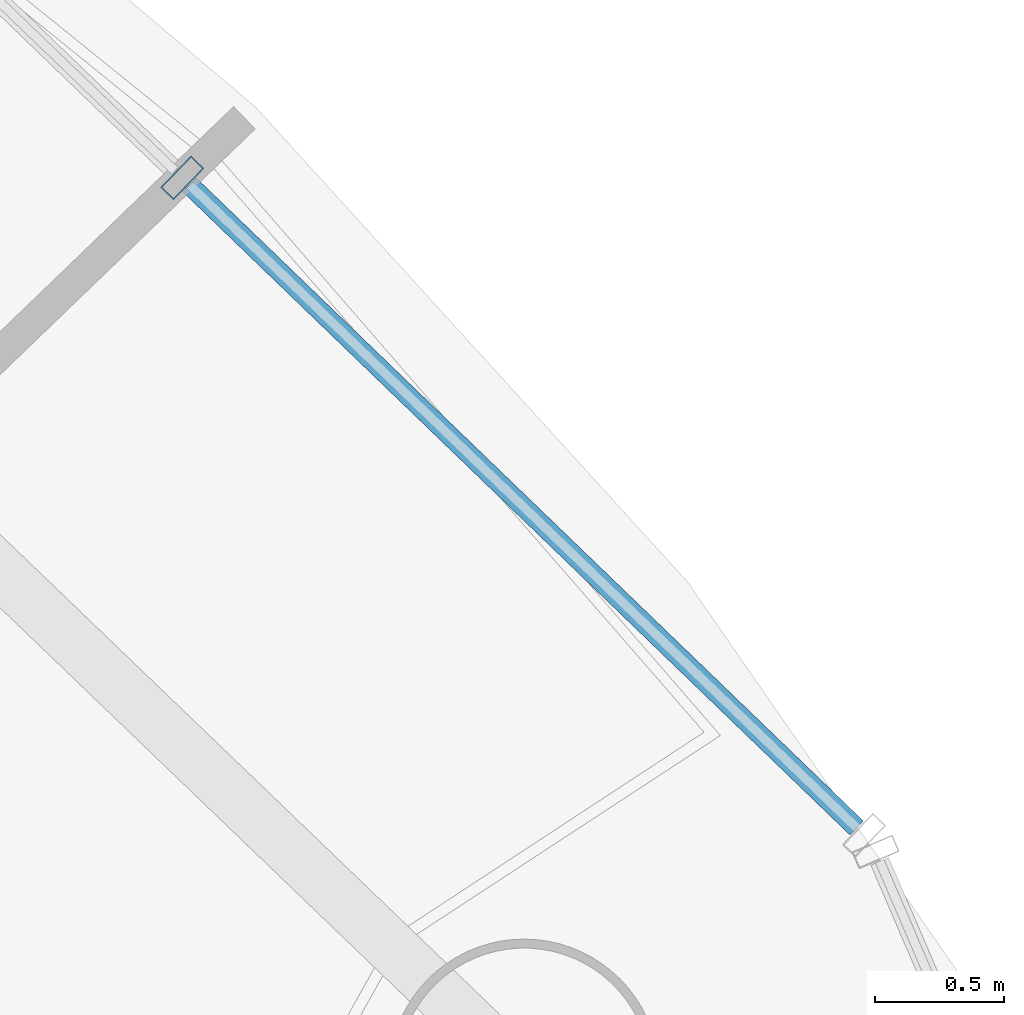
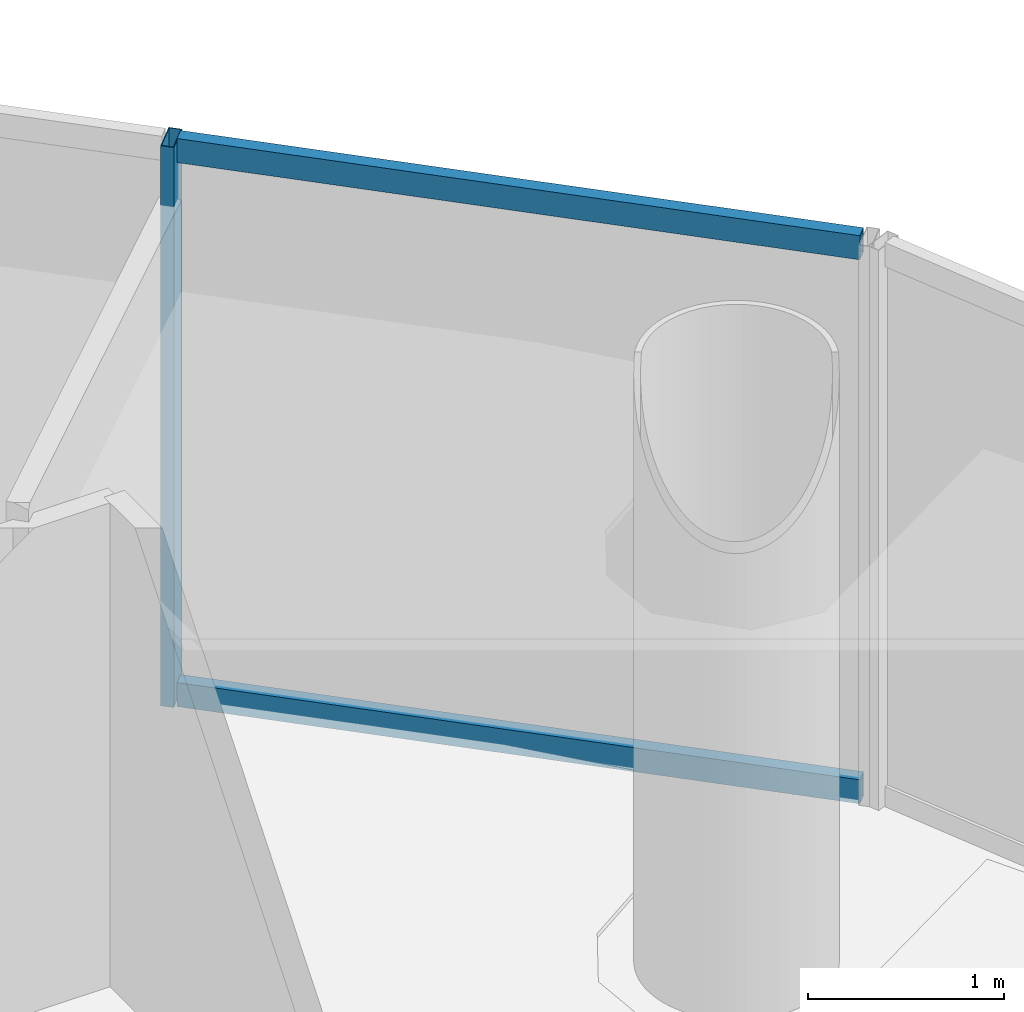
# One storey, part 13 of 24: 3 members, 1 element without a shape of its own.
"""IFC4 building model written with IfcOpenShell, lengths in metres."""

from ifc_helpers import new_model, si_unit, direction, frame, origin, origin_2d, place, context, subcontext, project, spatial, hollow_rectangle, extrude, source, transform, mapped, material, material_profile, profile_set, type_object, element, aggregate, save


model = new_model("IFC4")

# Units and contexts
model_context = context("Model", 3, precision=1e-05, world=origin(), true_north=direction((-0.2419218956, 0.970295726276)))
body_context = subcontext(model_context, "Body", "Model", "MODEL_VIEW")
ifc_project = project(units=[si_unit("LENGTHUNIT", "METRE"), si_unit("AREAUNIT", "SQUARE_METRE"), si_unit("VOLUMEUNIT", "CUBIC_METRE"), si_unit("PLANEANGLEUNIT", "RADIAN"), si_unit("MASSUNIT", "GRAM", prefix="KILO")], contexts=[model_context])

# Site, building, storey
site_placement = place(None, origin())
site = spatial("IfcSite", under=ifc_project, at=site_placement, CompositionType="ELEMENT")
building_placement = place(site_placement, origin())
building = spatial("IfcBuilding", under=site, at=building_placement, Name="Cobrevalo Terracotta Tower", CompositionType="ELEMENT")
storey_placement = place(building_placement, frame((0.0, 0.0, 274.449951171875)))
storey = spatial("IfcBuildingStorey", under=building, at=storey_placement, Name="L72", CompositionType="ELEMENT", Elevation=274.449951171875)

# Curtain wall, members
ifc_material = material(Name="Anodized aluminium", Category="aluminium")
curtain_wall_type = type_object("IfcCurtainWallType", Name="Upper-tower triple-glazed penthouse curtain wall CW-U3", PredefinedType="NOTDEFINED", material=ifc_material)
curtain_wall_placement = place(storey_placement, origin())
curtain_wall = element("IfcCurtainWall", 1, at=curtain_wall_placement, inside=storey, type_object=curtain_wall_type, Name="L72 curtain wall CW-L72-S02", PredefinedType="NOTDEFINED")
ifc_material_profile_1 = material_profile(ifc_material, hollow_rectangle(XDim=0.070068359375, YDim=0.169921875, WallThickness=0.00439453125, at=origin_2d()), Name="CWM 70x170")
ifc_profile_set_1 = profile_set([ifc_material_profile_1], Name="Anodized aluminium")
member_type_1 = type_object("IfcMemberType", Name="Upper tower unitised mullion 70x170", PredefinedType="MULLION", material=ifc_profile_set_1)
shared_shape_1 = source(origin(), body_context, "Body", "SweptSolid", [
    extrude(hollow_rectangle(XDim=0.070068359375, YDim=0.169921875, WallThickness=0.00439453125, at=origin_2d()), origin(), (0.0, 0.0, 1.0), 3.489990234375),
])
member_1_placement = place(storey_placement, frame((51.43359375, 39.748046875, 0.0), z_axis=(0.0, 0.0, 1.0), x_axis=(-0.71999418085, 0.69398010025, 0.0)))
member_1 = element("IfcMember", 2, at=member_1_placement, type_object=member_type_1, Name="CW-L72-S02 vertical mullion 02", PredefinedType="MULLION", context=body_context, shape_type="MappedRepresentation", body=[
    mapped(shared_shape_1, transform((0.0, 0.0, 0.0), scale=1.0)),
])
ifc_material_profile_2 = material_profile(ifc_material, hollow_rectangle(XDim=0.074951171875, YDim=0.14990234375, WallThickness=0.00439453125, at=origin_2d()), Name="CWT 75x150")
ifc_profile_set_2 = profile_set([ifc_material_profile_2], Name="Anodized aluminium")
member_type_2 = type_object("IfcMemberType", Name="Tower unitised aluminium transom 75x150", PredefinedType="USERDEFINED", material=ifc_profile_set_2)
shared_shape_2 = source(origin(), body_context, "Body", "SweptSolid", [
    extrude(hollow_rectangle(XDim=0.074951171875, YDim=0.14990234375, WallThickness=0.00439453125, at=origin_2d()), origin(), (0.0, 0.0, 1.0), 3.59130859375),
])
member_2_placement = place(storey_placement, frame((54.0478515625, 37.22802734375, 0.050048828125), z_axis=(-0.720005628362, 0.693968223427, 0.0), x_axis=(-0.693968223427, -0.720005628362, 0.0)))
member_2 = element("IfcMember", 3, at=member_2_placement, type_object=member_type_2, Name="CW-L72-S02 transom B01-T1", ObjectType="TRANSOM", PredefinedType="USERDEFINED", context=body_context, shape_type="MappedRepresentation", body=[
    mapped(shared_shape_2, transform((0.0, 0.0, 0.0), scale=1.0)),
])
member_3_placement = place(storey_placement, frame((54.0478515625, 37.22802734375, 3.43994140625), z_axis=(-0.720005628362, 0.693968223427, 0.0), x_axis=(-0.693968223427, -0.720005628362, 0.0)))
member_3 = element("IfcMember", 4, at=member_3_placement, type_object=member_type_2, Name="CW-L72-S02 transom B01-T2", ObjectType="TRANSOM", PredefinedType="USERDEFINED", context=body_context, shape_type="MappedRepresentation", body=[
    mapped(shared_shape_2, transform((0.0, 0.0, 0.0), scale=1.0)),
])
aggregate(curtain_wall, [member_1, member_2, member_3])

save(model, "model.ifc")
